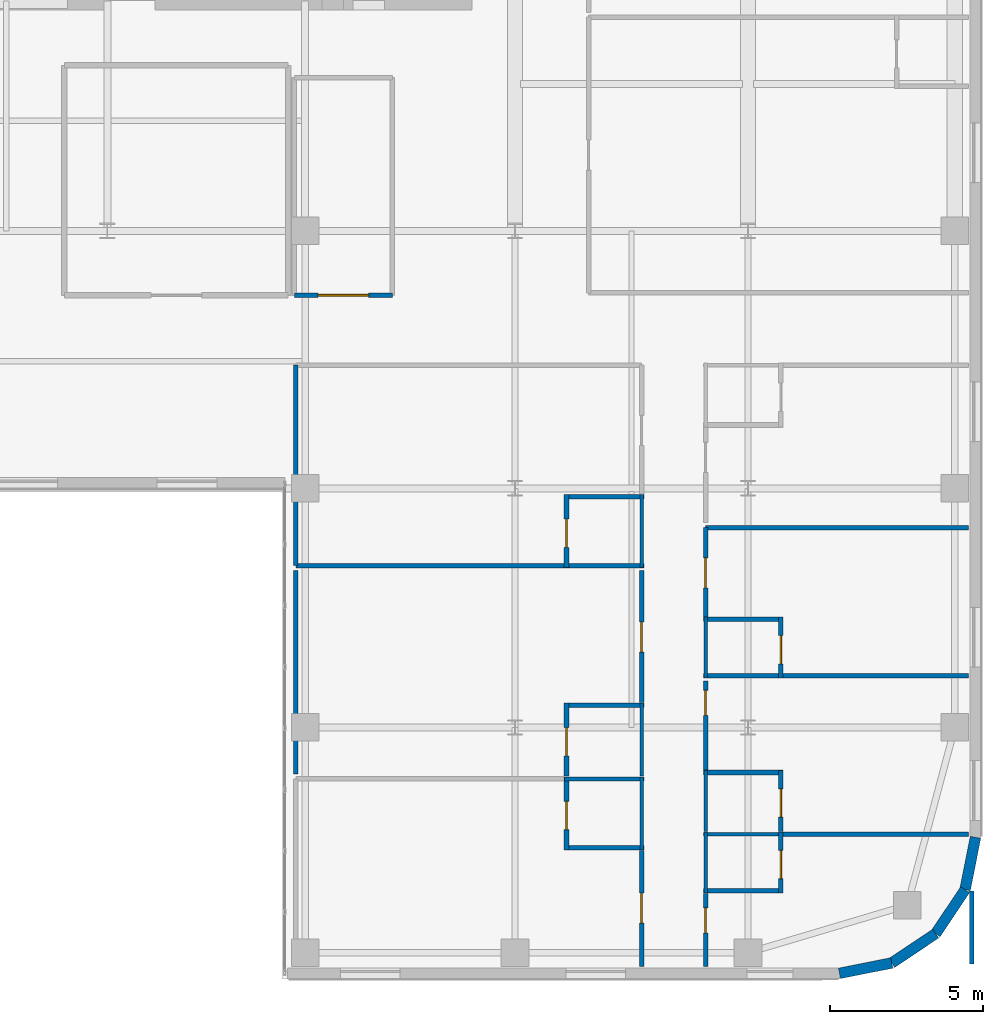
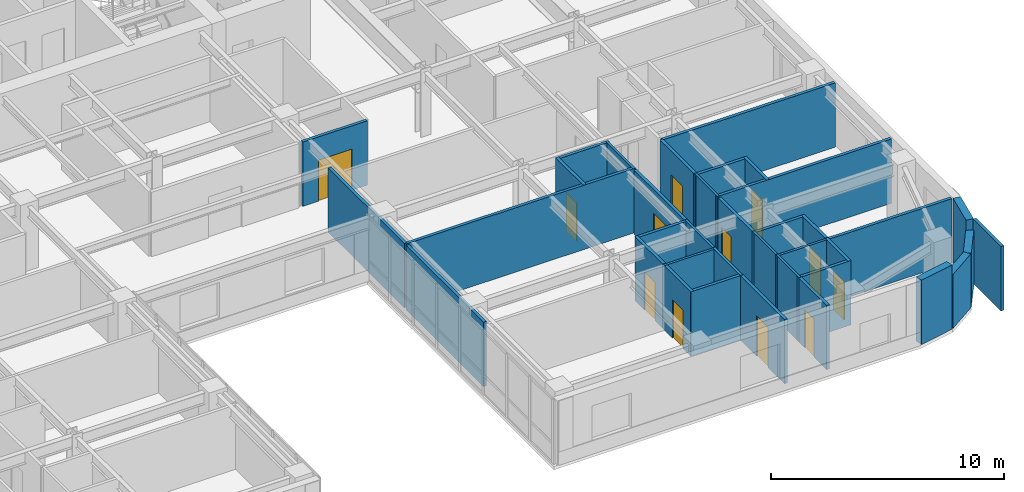
# One storey, part 16 of 25: 37 walls, 12 doors, 12 openings.
"""IFC4 building model written with IfcOpenShell, lengths in metres."""

from ifc_helpers import new_model, si_unit, direction, frame, frame_2d, origin, place, context, subcontext, project, spatial, rectangle, extrude, source, transform, mapped, material, layer, layer_set, type_object, type_shapes, element, fill, save


model = new_model("IFC4")

# Units and contexts
model_context = context("Model", 3, precision=1e-05, world=origin(), true_north=direction((0.0, 1.0)))
body_context = subcontext(model_context, "Body", "Model", "MODEL_VIEW")
ifc_project = project(units=[si_unit("LENGTHUNIT", "METRE"), si_unit("AREAUNIT", "SQUARE_METRE"), si_unit("VOLUMEUNIT", "CUBIC_METRE"), si_unit("PLANEANGLEUNIT", "RADIAN"), si_unit("MASSUNIT", "GRAM", prefix="KILO")], contexts=[model_context])

# Site, building, storey
site_placement = place(None, origin())
site = spatial("IfcSite", under=ifc_project, at=site_placement, CompositionType="ELEMENT")
building_placement = place(site_placement, origin())
building = spatial("IfcBuilding", under=site, at=building_placement, Name="Tolvann Quenvar Hotel", CompositionType="ELEMENT")
storey_placement = place(building_placement, frame((0.0, 0.0, 132.85009765625)))
storey = spatial("IfcBuildingStorey", under=building, at=storey_placement, Name="L34", CompositionType="ELEMENT", Elevation=132.85009765625)

# Walls
ifc_material_1 = material(Name="Kiln-fired red and buff architectural clay brickwork and terracotta masonry", Category="masonry")
ifc_layer_1 = layer(ifc_material_1, 0.35009765625)
ifc_layer_set_1 = layer_set([ifc_layer_1], Name="Kiln-fired red and buff architectural clay brickwork and terracotta masonry")
wall_type_1 = type_object("IfcWallType", Name="WALL_EXT_BRICK_350", PredefinedType="SOLIDWALL", material=ifc_layer_set_1)
wall_1_placement = place(storey_placement, frame((52.3828125, 0.175048828125, 0.0), z_axis=(0.0, 0.0, 1.0), x_axis=(0.980800971659, 0.195011420161, 0.0)))
element("IfcWall", 1, at=wall_1_placement, inside=storey, type_object=wall_type_1, Name="Exterior Chicago Brick Wall L34-E09", PredefinedType="SOLIDWALL", context=body_context, shape_type="SweptSolid", body=[
    extrude(rectangle(XDim=1.74267578125, YDim=0.35009765625, at=frame_2d((0.871337890625, 0.0))), origin(), (0.0, 0.0, 1.0), 3.369873046875),
])
for number, where, z_axis, x_axis, name in (
    (2, (54.092041015625, 0.514892578125, 0.0), (0.0, 0.0, 1.0), (0.831483840845, 0.55554893791, 0.0), "Exterior Chicago Brick Wall L34-E10"),
    (3, (55.526611328125, 1.473388671875, 0.0), (0.0, 0.0, 1.0), (0.55554893791, 0.831483840845, 0.0), "Exterior Chicago Brick Wall L34-E11"),
):
    element("IfcWall", number, at=place(storey_placement, frame(where, z_axis=z_axis, x_axis=x_axis)), inside=storey, type_object=wall_type_1, Name=name, PredefinedType="SOLIDWALL", context=body_context, shape_type="SweptSolid", body=[
        extrude(rectangle(XDim=1.725341796875, YDim=0.35009765625, at=frame_2d((0.86279296875, 0.0))), origin(), (0.0, 0.0, 1.0), 2.831787109375),
    ])
wall_2_placement = place(storey_placement, frame((56.485107421875, 2.907958984375, 0.0), z_axis=(0.0, 0.0, 1.0), x_axis=(0.195011420161, 0.980800971659, 0.0)))
element("IfcWall", 4, at=wall_2_placement, inside=storey, type_object=wall_type_1, Name="Exterior Chicago Brick Wall L34-E12", PredefinedType="SOLIDWALL", context=body_context, shape_type="SweptSolid", body=[
    extrude(rectangle(XDim=1.74267578125, YDim=0.35009765625, at=frame_2d((0.871337890625, 0.0))), origin(), (0.0, 0.0, 1.0), 3.369873046875),
])
ifc_material_2 = material(Name="Moisture-resistant acoustic plumbing wall assembly")
ifc_layer_2 = layer(ifc_material_2, 0.1201171875)
ifc_layer_set_2 = layer_set([ifc_layer_2], Name="Moisture-resistant acoustic plumbing wall assembly")
wall_type_2 = type_object("IfcWallType", Name="WALL_PART_BATH_120", PredefinedType="PLUMBINGWALL", material=ifc_layer_set_2)
wall_3_placement = place(storey_placement, frame((43.409912109375, 6.52001953125, 0.0), z_axis=(0.0, 0.0, 1.0), x_axis=(1.0, 0.0, 0.0)))
element("IfcWall", 5, at=wall_3_placement, inside=storey, type_object=wall_type_2, Name="Non-Rated Plumbing Partition PT-SPC-L34-ENS-EI01-N", PredefinedType="PLUMBINGWALL", context=body_context, shape_type="SweptSolid", body=[
    extrude(rectangle(XDim=2.590087890625, YDim=0.1201171875, at=frame_2d((1.294921875, 0.0))), origin(), (0.0, 0.0, 1.0), 3.369873046875),
])
wall_4_placement = place(storey_placement, frame((45.929931640625, 4.199951171875, 0.0), z_axis=(0.0, 0.0, 1.0), x_axis=(0.0, 1.0, 0.0)))
element("IfcWall", 6, at=wall_4_placement, inside=storey, type_object=wall_type_2, Name="Non-Rated Plumbing Partition PT-SPC-L34-ENS-EI01-E", PredefinedType="PLUMBINGWALL", context=body_context, shape_type="SweptSolid", body=[
    extrude(rectangle(XDim=2.39013671875, YDim=0.1201171875, at=frame_2d((1.195068359375, 0.0))), origin(), (0.0, 0.0, 1.0), 3.369873046875),
])
wall_5_placement = place(storey_placement, frame((45.929931640625, 6.610107421875, 0.0), z_axis=(0.0, 0.0, 1.0), x_axis=(0.0, 1.0, 0.0)))
element("IfcWall", 7, at=wall_5_placement, inside=storey, type_object=wall_type_2, Name="Non-Rated Plumbing Partition PT-SPC-L34-ENS-EI02-E", PredefinedType="PLUMBINGWALL", context=body_context, shape_type="SweptSolid", body=[
    extrude(rectangle(XDim=2.389892578125, YDim=0.1201171875, at=frame_2d((1.19482421875, 0.0))), origin(), (0.0, 0.0, 1.0), 3.369873046875),
])
wall_6_placement = place(storey_placement, frame((45.929931640625, 13.409912109375, 0.0), z_axis=(0.0, 0.0, 1.0), x_axis=(0.0, 1.0, 0.0)))
element("IfcWall", 8, at=wall_6_placement, inside=storey, type_object=wall_type_2, Name="Non-Rated Plumbing Partition PT-SPC-L34-ENS-EI03-E", PredefinedType="PLUMBINGWALL", context=body_context, shape_type="SweptSolid", body=[
    extrude(rectangle(XDim=2.39013671875, YDim=0.1201171875, at=frame_2d((1.195068359375, 0.0))), origin(), (0.0, 0.0, 1.0), 3.369873046875),
])
wall_7_placement = place(storey_placement, frame((47.949951171875, 4.719970703125, 0.0), z_axis=(0.0, 0.0, 1.0), x_axis=(1.0, 0.0, 0.0)))
element("IfcWall", 9, at=wall_7_placement, inside=storey, type_object=wall_type_2, Name="Non-Rated Plumbing Partition PT-SPC-L34-ENS-EO01-N", PredefinedType="PLUMBINGWALL", context=body_context, shape_type="SweptSolid", body=[
    extrude(rectangle(XDim=2.590087890625, YDim=0.1201171875, at=frame_2d((1.294921875, 0.0))), origin(), (0.0, 0.0, 1.0), 3.369873046875),
])
for number, where, z_axis, x_axis, name in (
    (10, (48.02001953125, 2.800048828125, 0.0), (0.0, 0.0, 1.0), (0.0, 1.0, 0.0), "Non-Rated Plumbing Partition PT-SPC-L34-ENS-EO01-W"),
    (11, (48.02001953125, 4.81005859375, 0.0), (0.0, 0.0, 1.0), (0.0, 1.0, 0.0), "Non-Rated Plumbing Partition PT-SPC-L34-ENS-EO02-W"),
    (12, (48.02001953125, 9.81005859375, 0.0), (0.0, 0.0, 1.0), (0.0, 1.0, 0.0), "Non-Rated Plumbing Partition PT-SPC-L34-ENS-EO03-W"),
):
    element("IfcWall", number, at=place(storey_placement, frame(where, z_axis=z_axis, x_axis=x_axis)), inside=storey, type_object=wall_type_2, Name=name, PredefinedType="PLUMBINGWALL", context=body_context, shape_type="SweptSolid", body=[
        extrude(rectangle(XDim=1.989990234375, YDim=0.1201171875, at=frame_2d((0.9951171875, 0.0))), origin(), (0.0, 0.0, 1.0), 3.369873046875),
    ])

# Wall, opening, door
ifc_material_3 = material(Name="Acoustic twin-stud fire-rated gypsum plasterboard partition")
ifc_layer_3 = layer(ifc_material_3, 0.14990234375)
ifc_layer_set_3 = layer_set([ifc_layer_3], Name="Acoustic twin-stud fire-rated gypsum plasterboard partition")
wall_type_3 = type_object("IfcWallType", Name="WALL_PART_SUITE_150", PredefinedType="PARTITIONING", material=ifc_layer_set_3)
wall_8_placement = place(storey_placement, frame((43.47998046875, 4.199951171875, 0.0), z_axis=(0.0, 0.0, 1.0), x_axis=(0.0, 1.0, 0.0)))
wall_8 = element("IfcWall", 13, at=wall_8_placement, inside=storey, type_object=wall_type_3, Name="Interior Partition PT-SPC-L34-ENS-EI01-ENT", PredefinedType="PARTITIONING", context=body_context, shape_type="SweptSolid", body=[
    extrude(rectangle(XDim=2.39013671875, YDim=0.14990234375, at=frame_2d((1.195068359375, 0.0))), origin(), (0.0, 0.0, 1.0), 3.369873046875),
])
opening_1_placement = place(wall_8_placement, frame((0.6650390625, 0.0, 0.0)))
opening_1 = element("IfcOpeningElement", 14, at=opening_1_placement, cuts=wall_8, Name="Opening WD-01", PredefinedType="OPENING", context=body_context, shape_type="SweptSolid", body=[
    extrude(rectangle(XDim=0.919921875, YDim=2.010009765625, at=frame_2d((0.4599609375, 1.0048828125))), frame((0.0, 0.0849609375, 0.0), z_axis=(0.0, -1.0, 0.0), x_axis=(1.0, 0.0, 0.0)), (0.0, 0.0, 1.0), 0.169921875),
])
ifc_material_4 = material(Name="Solid-core American oak acoustic fire door leaf in steel frame", Category="steel")
door_type_1 = type_object("IfcDoorType", Name="DOOR_WC_920", OperationType="NOTDEFINED", PredefinedType="DOOR", material=ifc_material_4)
shared_shape_1 = source(origin(), body_context, "Body", "SweptSolid", [
    extrude(rectangle(XDim=0.919921875, YDim=2.010009765625, at=frame_2d((0.4599609375, 1.0048828125))), frame((0.0, 0.02490234375, 0.0), z_axis=(0.0, -1.0, 0.0), x_axis=(1.0, 0.0, 0.0)), (0.0, 0.0, 1.0), 0.050048828125),
])
type_shapes(door_type_1, [shared_shape_1])
door_1_placement = place(opening_1_placement, origin())
door_1 = element("IfcDoor", 15, at=door_1_placement, inside=storey, type_object=door_type_1, Name="Interior Door DOOR-SPC-L34-ENS-EI01", OperationType="SINGLE_SWING_RIGHT", OverallHeight=2.010009765625, OverallWidth=0.919921875, PredefinedType="DOOR", context=body_context, shape_type="MappedRepresentation", body=[
    mapped(shared_shape_1, transform((0.0, 0.0, 0.0), x_axis=(1.0, 0.0, 0.0), y_axis=(0.0, 1.0, 0.0), z_axis=(0.0, 0.0, 1.0), scale=1.0)),
])
fill(opening_1, door_1)

# Wall
wall_9_placement = place(storey_placement, frame((43.409912109375, 4.27001953125, 0.0), z_axis=(0.0, 0.0, 1.0), x_axis=(1.0, 0.0, 0.0)))
element("IfcWall", 16, at=wall_9_placement, inside=storey, type_object=wall_type_3, Name="Interior Partition PT-SPC-L34-ENS-EI01-S", PredefinedType="PARTITIONING", context=body_context, shape_type="SweptSolid", body=[
    extrude(rectangle(XDim=2.590087890625, YDim=0.14990234375, at=frame_2d((1.294921875, 0.0))), origin(), (0.0, 0.0, 1.0), 3.369873046875),
])

# Wall, opening, door
wall_10_placement = place(storey_placement, frame((43.47998046875, 6.610107421875, 0.0), z_axis=(0.0, 0.0, 1.0), x_axis=(0.0, 1.0, 0.0)))
wall_10 = element("IfcWall", 17, at=wall_10_placement, inside=storey, type_object=wall_type_3, Name="Interior Partition PT-SPC-L34-ENS-EI02-ENT", PredefinedType="PARTITIONING", context=body_context, shape_type="SweptSolid", body=[
    extrude(rectangle(XDim=2.389892578125, YDim=0.14990234375, at=frame_2d((1.19482421875, 0.0))), origin(), (0.0, 0.0, 1.0), 3.369873046875),
])
opening_2_placement = place(wall_10_placement, frame((0.6650390625, 0.0, 0.0)))
opening_2 = element("IfcOpeningElement", 18, at=opening_2_placement, cuts=wall_10, Name="Opening WD-01", PredefinedType="OPENING", context=body_context, shape_type="SweptSolid", body=[
    extrude(rectangle(XDim=0.919921875, YDim=2.010009765625, at=frame_2d((0.4599609375, 1.0048828125))), frame((0.0, 0.0849609375, 0.0), z_axis=(0.0, -1.0, 0.0), x_axis=(1.0, 0.0, 0.0)), (0.0, 0.0, 1.0), 0.169921875),
])
door_2_placement = place(opening_2_placement, origin())
door_2 = element("IfcDoor", 19, at=door_2_placement, inside=storey, type_object=door_type_1, Name="Interior Door DOOR-SPC-L34-ENS-EI02", OperationType="SINGLE_SWING_LEFT", OverallHeight=2.010009765625, OverallWidth=0.919921875, PredefinedType="DOOR", context=body_context, shape_type="MappedRepresentation", body=[
    mapped(shared_shape_1, transform((0.0, 0.0, 0.0), x_axis=(1.0, 0.0, 0.0), y_axis=(0.0, 1.0, 0.0), z_axis=(0.0, 0.0, 1.0), scale=1.0)),
])
fill(opening_2, door_2)

# Wall
wall_11_placement = place(storey_placement, frame((43.409912109375, 8.929931640625, 0.0), z_axis=(0.0, 0.0, 1.0), x_axis=(1.0, 0.0, 0.0)))
element("IfcWall", 20, at=wall_11_placement, inside=storey, type_object=wall_type_3, Name="Interior Partition PT-SPC-L34-ENS-EI02-N", PredefinedType="PARTITIONING", context=body_context, shape_type="SweptSolid", body=[
    extrude(rectangle(XDim=2.590087890625, YDim=0.14990234375, at=frame_2d((1.294921875, 0.0))), origin(), (0.0, 0.0, 1.0), 3.369873046875),
])

# Wall, opening, door
wall_12_placement = place(storey_placement, frame((43.47998046875, 13.409912109375, 0.0), z_axis=(0.0, 0.0, 1.0), x_axis=(0.0, 1.0, 0.0)))
wall_12 = element("IfcWall", 21, at=wall_12_placement, inside=storey, type_object=wall_type_3, Name="Interior Partition PT-SPC-L34-ENS-EI03-ENT", PredefinedType="PARTITIONING", context=body_context, shape_type="SweptSolid", body=[
    extrude(rectangle(XDim=2.39013671875, YDim=0.14990234375, at=frame_2d((1.195068359375, 0.0))), origin(), (0.0, 0.0, 1.0), 3.369873046875),
])
opening_3_placement = place(wall_12_placement, frame((0.6650390625, 0.0, 0.0)))
opening_3 = element("IfcOpeningElement", 22, at=opening_3_placement, cuts=wall_12, Name="Opening WD-01", PredefinedType="OPENING", context=body_context, shape_type="SweptSolid", body=[
    extrude(rectangle(XDim=0.919921875, YDim=2.010009765625, at=frame_2d((0.4599609375, 1.0048828125))), frame((0.0, 0.0849609375, 0.0), z_axis=(0.0, -1.0, 0.0), x_axis=(1.0, 0.0, 0.0)), (0.0, 0.0, 1.0), 0.169921875),
])
door_3_placement = place(opening_3_placement, origin())
door_3 = element("IfcDoor", 23, at=door_3_placement, inside=storey, type_object=door_type_1, Name="Interior Door DOOR-SPC-L34-ENS-EI03", OperationType="SINGLE_SWING_RIGHT", OverallHeight=2.010009765625, OverallWidth=0.919921875, PredefinedType="DOOR", context=body_context, shape_type="MappedRepresentation", body=[
    mapped(shared_shape_1, transform((0.0, 0.0, 0.0), x_axis=(1.0, 0.0, 0.0), y_axis=(0.0, 1.0, 0.0), z_axis=(0.0, 0.0, 1.0), scale=1.0)),
])
fill(opening_3, door_3)

# Walls
wall_13_placement = place(storey_placement, frame((34.64990234375, 13.47998046875, 0.0), z_axis=(0.0, 0.0, 1.0), x_axis=(1.0, 0.0, 0.0)))
element("IfcWall", 24, at=wall_13_placement, inside=storey, type_object=wall_type_3, Name="Interior Partition PT-SPC-L34-ENS-EI03-S", PredefinedType="PARTITIONING", context=body_context, shape_type="SweptSolid", body=[
    extrude(rectangle(XDim=11.35009765625, YDim=0.14990234375, at=frame_2d((5.675048828125, 0.0))), origin(), (0.0, 0.0, 1.0), 3.369873046875),
])
wall_14_placement = place(storey_placement, frame((43.409912109375, 15.72998046875, 0.0), z_axis=(0.0, 0.0, 1.0), x_axis=(1.0, 0.0, 0.0)))
element("IfcWall", 25, at=wall_14_placement, inside=storey, type_object=wall_type_3, Name="Interior Partition PT-SPC-L34-ENS-EI03-N", PredefinedType="PARTITIONING", context=body_context, shape_type="SweptSolid", body=[
    extrude(rectangle(XDim=2.590087890625, YDim=0.14990234375, at=frame_2d((1.294921875, 0.0))), origin(), (0.0, 0.0, 1.0), 3.369873046875),
])

# Wall, opening, door
wall_15_placement = place(storey_placement, frame((50.469970703125, 2.800048828125, 0.0), z_axis=(0.0, 0.0, 1.0), x_axis=(0.0, 1.0, 0.0)))
wall_15 = element("IfcWall", 26, at=wall_15_placement, inside=storey, type_object=wall_type_3, Name="Interior Partition PT-SPC-L34-ENS-EO01-ENT", PredefinedType="PARTITIONING", context=body_context, shape_type="SweptSolid", body=[
    extrude(rectangle(XDim=1.989990234375, YDim=0.14990234375, at=frame_2d((0.9951171875, 0.0))), origin(), (0.0, 0.0, 1.0), 3.369873046875),
])
opening_4_placement = place(wall_15_placement, frame((0.465087890625, 0.0, 0.0)))
opening_4 = element("IfcOpeningElement", 27, at=opening_4_placement, cuts=wall_15, Name="Opening WD-01", PredefinedType="OPENING", context=body_context, shape_type="SweptSolid", body=[
    extrude(rectangle(XDim=0.919921875, YDim=2.010009765625, at=frame_2d((0.4599609375, 1.0048828125))), frame((0.0, 0.0849609375, 0.0), z_axis=(0.0, -1.0, 0.0), x_axis=(1.0, 0.0, 0.0)), (0.0, 0.0, 1.0), 0.169921875),
])
door_4_placement = place(opening_4_placement, origin())
door_4 = element("IfcDoor", 28, at=door_4_placement, inside=storey, type_object=door_type_1, Name="Interior Door DOOR-SPC-L34-ENS-EO01", OperationType="SINGLE_SWING_LEFT", OverallHeight=2.010009765625, OverallWidth=0.919921875, PredefinedType="DOOR", context=body_context, shape_type="MappedRepresentation", body=[
    mapped(shared_shape_1, transform((0.0, 0.0, 0.0), x_axis=(1.0, 0.0, 0.0), y_axis=(0.0, 1.0, 0.0), z_axis=(0.0, 0.0, 1.0), scale=1.0)),
])
fill(opening_4, door_4)

# Wall
wall_16_placement = place(storey_placement, frame((47.949951171875, 2.8701171875, 0.0), z_axis=(0.0, 0.0, 1.0), x_axis=(1.0, 0.0, 0.0)))
element("IfcWall", 29, at=wall_16_placement, inside=storey, type_object=wall_type_3, Name="Interior Partition PT-SPC-L34-ENS-EO01-S", PredefinedType="PARTITIONING", context=body_context, shape_type="SweptSolid", body=[
    extrude(rectangle(XDim=2.590087890625, YDim=0.14990234375, at=frame_2d((1.294921875, 0.0))), origin(), (0.0, 0.0, 1.0), 3.369873046875),
])

# Wall, opening, door
wall_17_placement = place(storey_placement, frame((50.469970703125, 4.81005859375, 0.0), z_axis=(0.0, 0.0, 1.0), x_axis=(0.0, 1.0, 0.0)))
wall_17 = element("IfcWall", 30, at=wall_17_placement, inside=storey, type_object=wall_type_3, Name="Interior Partition PT-SPC-L34-ENS-EO02-ENT", PredefinedType="PARTITIONING", context=body_context, shape_type="SweptSolid", body=[
    extrude(rectangle(XDim=1.989990234375, YDim=0.14990234375, at=frame_2d((0.9951171875, 0.0))), origin(), (0.0, 0.0, 1.0), 3.369873046875),
])
opening_5_placement = place(wall_17_placement, frame((0.465087890625, 0.0, 0.0)))
opening_5 = element("IfcOpeningElement", 31, at=opening_5_placement, cuts=wall_17, Name="Opening WD-01", PredefinedType="OPENING", context=body_context, shape_type="SweptSolid", body=[
    extrude(rectangle(XDim=0.919921875, YDim=2.010009765625, at=frame_2d((0.4599609375, 1.0048828125))), frame((0.0, 0.0849609375, 0.0), z_axis=(0.0, -1.0, 0.0), x_axis=(1.0, 0.0, 0.0)), (0.0, 0.0, 1.0), 0.169921875),
])
door_5_placement = place(opening_5_placement, origin())
door_5 = element("IfcDoor", 32, at=door_5_placement, inside=storey, type_object=door_type_1, Name="Interior Door DOOR-SPC-L34-ENS-EO02", OperationType="SINGLE_SWING_RIGHT", OverallHeight=2.010009765625, OverallWidth=0.919921875, PredefinedType="DOOR", context=body_context, shape_type="MappedRepresentation", body=[
    mapped(shared_shape_1, transform((0.0, 0.0, 0.0), x_axis=(1.0, 0.0, 0.0), y_axis=(0.0, 1.0, 0.0), z_axis=(0.0, 0.0, 1.0), scale=1.0)),
])
fill(opening_5, door_5)

# Wall
wall_18_placement = place(storey_placement, frame((47.949951171875, 6.72998046875, 0.0), z_axis=(0.0, 0.0, 1.0), x_axis=(1.0, 0.0, 0.0)))
element("IfcWall", 33, at=wall_18_placement, inside=storey, type_object=wall_type_3, Name="Interior Partition PT-SPC-L34-ENS-EO02-N", PredefinedType="PARTITIONING", context=body_context, shape_type="SweptSolid", body=[
    extrude(rectangle(XDim=2.590087890625, YDim=0.14990234375, at=frame_2d((1.294921875, 0.0))), origin(), (0.0, 0.0, 1.0), 3.369873046875),
])

# Wall, opening, door
wall_19_placement = place(storey_placement, frame((50.469970703125, 9.81005859375, 0.0), z_axis=(0.0, 0.0, 1.0), x_axis=(0.0, 1.0, 0.0)))
wall_19 = element("IfcWall", 34, at=wall_19_placement, inside=storey, type_object=wall_type_3, Name="Interior Partition PT-SPC-L34-ENS-EO03-ENT", PredefinedType="PARTITIONING", context=body_context, shape_type="SweptSolid", body=[
    extrude(rectangle(XDim=1.989990234375, YDim=0.14990234375, at=frame_2d((0.9951171875, 0.0))), origin(), (0.0, 0.0, 1.0), 3.369873046875),
])
opening_6_placement = place(wall_19_placement, frame((0.465087890625, 0.0, 0.0)))
opening_6 = element("IfcOpeningElement", 35, at=opening_6_placement, cuts=wall_19, Name="Opening WD-01", PredefinedType="OPENING", context=body_context, shape_type="SweptSolid", body=[
    extrude(rectangle(XDim=0.919921875, YDim=2.010009765625, at=frame_2d((0.4599609375, 1.0048828125))), frame((0.0, 0.0849609375, 0.0), z_axis=(0.0, -1.0, 0.0), x_axis=(1.0, 0.0, 0.0)), (0.0, 0.0, 1.0), 0.169921875),
])
door_6_placement = place(opening_6_placement, origin())
door_6 = element("IfcDoor", 36, at=door_6_placement, inside=storey, type_object=door_type_1, Name="Interior Door DOOR-SPC-L34-ENS-EO03", OperationType="SINGLE_SWING_LEFT", OverallHeight=2.010009765625, OverallWidth=0.919921875, PredefinedType="DOOR", context=body_context, shape_type="MappedRepresentation", body=[
    mapped(shared_shape_1, transform((0.0, 0.0, 0.0), x_axis=(1.0, 0.0, 0.0), y_axis=(0.0, 1.0, 0.0), z_axis=(0.0, 0.0, 1.0), scale=1.0)),
])
fill(opening_6, door_6)

# Walls
wall_20_placement = place(storey_placement, frame((47.949951171875, 9.8798828125, 0.0), z_axis=(0.0, 0.0, 1.0), x_axis=(1.0, 0.0, 0.0)))
element("IfcWall", 37, at=wall_20_placement, inside=storey, type_object=wall_type_3, Name="Interior Partition PT-SPC-L34-ENS-EO03-S", PredefinedType="PARTITIONING", context=body_context, shape_type="SweptSolid", body=[
    extrude(rectangle(XDim=8.64501953125, YDim=0.14990234375, at=frame_2d((4.322509765625, 0.0))), origin(), (0.0, 0.0, 1.0), 3.369873046875),
])
wall_21_placement = place(storey_placement, frame((47.949951171875, 11.72998046875, 0.0), z_axis=(0.0, 0.0, 1.0), x_axis=(1.0, 0.0, 0.0)))
element("IfcWall", 38, at=wall_21_placement, inside=storey, type_object=wall_type_3, Name="Interior Partition PT-SPC-L34-ENS-EO03-N", PredefinedType="PARTITIONING", context=body_context, shape_type="SweptSolid", body=[
    extrude(rectangle(XDim=2.590087890625, YDim=0.14990234375, at=frame_2d((1.294921875, 0.0))), origin(), (0.0, 0.0, 1.0), 3.369873046875),
])

# Wall, opening, door
wall_22_placement = place(storey_placement, frame((45.929931640625, 0.405029296875, 0.0), z_axis=(0.0, 0.0, 1.0), x_axis=(0.0, 1.0, 0.0)))
wall_22 = element("IfcWall", 39, at=wall_22_placement, inside=storey, type_object=wall_type_3, Name="Interior Partition PT-SPC-L34-RM-EI01-ENT", PredefinedType="PARTITIONING", context=body_context, shape_type="SweptSolid", body=[
    extrude(rectangle(XDim=3.784912109375, YDim=0.14990234375, at=frame_2d((1.892578125, 0.0))), origin(), (0.0, 0.0, 1.0), 3.369873046875),
])
opening_7_placement = place(wall_22_placement, frame((1.409912109375, 0.0, 0.0)))
opening_7 = element("IfcOpeningElement", 40, at=opening_7_placement, cuts=wall_22, Name="Opening SD-01", PredefinedType="OPENING", context=body_context, shape_type="SweptSolid", body=[
    extrude(rectangle(XDim=0.97998046875, YDim=2.1201171875, at=frame_2d((0.489990234375, 1.06005859375))), frame((0.0, 0.0849609375, 0.0), z_axis=(0.0, -1.0, 0.0), x_axis=(1.0, 0.0, 0.0)), (0.0, 0.0, 1.0), 0.169921875),
])
door_type_2 = type_object("IfcDoorType", Name="DOOR_SUITE_980", OperationType="NOTDEFINED", PredefinedType="DOOR", material=ifc_material_4)
shared_shape_2 = source(origin(), body_context, "Body", "SweptSolid", [
    extrude(rectangle(XDim=0.97998046875, YDim=2.1201171875, at=frame_2d((0.489990234375, 1.06005859375))), frame((0.0, 0.02490234375, 0.0), z_axis=(0.0, -1.0, 0.0), x_axis=(1.0, 0.0, 0.0)), (0.0, 0.0, 1.0), 0.050048828125),
])
type_shapes(door_type_2, [shared_shape_2])
door_7_placement = place(opening_7_placement, origin())
door_7 = element("IfcDoor", 41, at=door_7_placement, inside=storey, type_object=door_type_2, Name="Interior Door DOOR-SPC-L34-RM-EI01", OperationType="SINGLE_SWING_RIGHT", OverallHeight=2.1201171875, OverallWidth=0.97998046875, PredefinedType="DOOR", context=body_context, shape_type="MappedRepresentation", body=[
    mapped(shared_shape_2, transform((0.0, 0.0, 0.0), x_axis=(1.0, 0.0, 0.0), y_axis=(0.0, 1.0, 0.0), z_axis=(0.0, 0.0, 1.0), scale=1.0)),
])
fill(opening_7, door_7)

wall_23_placement = place(storey_placement, frame((45.929931640625, 9.010009765625, 0.0), z_axis=(0.0, 0.0, 1.0), x_axis=(0.0, 1.0, 0.0)))
wall_23 = element("IfcWall", 42, at=wall_23_placement, inside=storey, type_object=wall_type_3, Name="Interior Partition PT-SPC-L34-RM-EI02-ENT", PredefinedType="PARTITIONING", context=body_context, shape_type="SweptSolid", body=[
    extrude(rectangle(XDim=4.31005859375, YDim=0.14990234375, at=frame_2d((2.155029296875, 0.0))), origin(), (0.0, 0.0, 1.0), 3.369873046875),
])
opening_8_placement = place(wall_23_placement, frame((1.64501953125, 0.0, 0.0)))
opening_8 = element("IfcOpeningElement", 43, at=opening_8_placement, cuts=wall_23, Name="Opening SD-01", PredefinedType="OPENING", context=body_context, shape_type="SweptSolid", body=[
    extrude(rectangle(XDim=0.97998046875, YDim=2.1201171875, at=frame_2d((0.489990234375, 1.06005859375))), frame((0.0, 0.0849609375, 0.0), z_axis=(0.0, -1.0, 0.0), x_axis=(1.0, 0.0, 0.0)), (0.0, 0.0, 1.0), 0.169921875),
])
door_8_placement = place(opening_8_placement, origin())
door_8 = element("IfcDoor", 44, at=door_8_placement, inside=storey, type_object=door_type_2, Name="Interior Door DOOR-SPC-L34-RM-EI02", OperationType="SINGLE_SWING_LEFT", OverallHeight=2.1201171875, OverallWidth=0.97998046875, PredefinedType="DOOR", context=body_context, shape_type="MappedRepresentation", body=[
    mapped(shared_shape_2, transform((0.0, 0.0, 0.0), x_axis=(1.0, 0.0, 0.0), y_axis=(0.0, 1.0, 0.0), z_axis=(0.0, 0.0, 1.0), scale=1.0)),
])
fill(opening_8, door_8)

# Walls
wall_24_placement = place(storey_placement, frame((34.64990234375, 6.679931640625, 0.0), z_axis=(0.0, 0.0, 1.0), x_axis=(0.0, 1.0, 0.0)))
element("IfcWall", 45, at=wall_24_placement, inside=storey, type_object=wall_type_3, Name="Interior Partition PT-SPC-L34-RM-EI02-E6", PredefinedType="PARTITIONING", context=body_context, shape_type="SweptSolid", body=[
    extrude(rectangle(XDim=6.64013671875, YDim=0.14990234375, at=frame_2d((3.320068359375, 0.0))), origin(), (0.0, 0.0, 1.0), 3.369873046875),
])
wall_25_placement = place(storey_placement, frame((34.64990234375, 13.47998046875, 0.0), z_axis=(0.0, 0.0, 1.0), x_axis=(0.0, 1.0, 0.0)))
element("IfcWall", 46, at=wall_25_placement, inside=storey, type_object=wall_type_3, Name="Interior Partition PT-SPC-L34-RM-EI03-E6", PredefinedType="PARTITIONING", context=body_context, shape_type="SweptSolid", body=[
    extrude(rectangle(XDim=6.5400390625, YDim=0.14990234375, at=frame_2d((3.27001953125, 0.0))), origin(), (0.0, 0.0, 1.0), 3.369873046875),
])

# Wall, opening, door
wall_26_placement = place(storey_placement, frame((48.02001953125, 0.405029296875, 0.0), z_axis=(0.0, 0.0, 1.0), x_axis=(0.0, 1.0, 0.0)))
wall_26 = element("IfcWall", 47, at=wall_26_placement, inside=storey, type_object=wall_type_3, Name="Interior Partition PT-SPC-L34-RM-EO01-ENT", PredefinedType="PARTITIONING", context=body_context, shape_type="SweptSolid", body=[
    extrude(rectangle(XDim=2.385009765625, YDim=0.14990234375, at=frame_2d((1.1923828125, 0.0))), origin(), (0.0, 0.0, 1.0), 3.369873046875),
])
opening_9_placement = place(wall_26_placement, frame((1.090087890625, 0.0, 0.0)))
opening_9 = element("IfcOpeningElement", 48, at=opening_9_placement, cuts=wall_26, Name="Opening HD-02", PredefinedType="OPENING", context=body_context, shape_type="SweptSolid", body=[
    extrude(rectangle(XDim=0.820068359375, YDim=2.010009765625, at=frame_2d((0.41015625, 1.0048828125))), frame((0.0, 0.0849609375, 0.0), z_axis=(0.0, -1.0, 0.0), x_axis=(1.0, 0.0, 0.0)), (0.0, 0.0, 1.0), 0.169921875),
])
ifc_material_5 = material(Name="Pressed galvanised steel fire-rated door set", Category="steel")
door_type_3 = type_object("IfcDoorType", Name="DOOR_STORE_820", OperationType="NOTDEFINED", PredefinedType="DOOR", material=ifc_material_5)
shared_shape_3 = source(origin(), body_context, "Body", "SweptSolid", [
    extrude(rectangle(XDim=0.820068359375, YDim=2.010009765625, at=frame_2d((0.41015625, 1.0048828125))), frame((0.0, 0.02490234375, 0.0), z_axis=(0.0, -1.0, 0.0), x_axis=(1.0, 0.0, 0.0)), (0.0, 0.0, 1.0), 0.050048828125),
])
type_shapes(door_type_3, [shared_shape_3])
door_9_placement = place(opening_9_placement, origin())
door_9 = element("IfcDoor", 49, at=door_9_placement, inside=storey, type_object=door_type_3, Name="Interior Door DOOR-SPC-L34-RM-EO01", OperationType="SINGLE_SWING_LEFT", OverallHeight=2.010009765625, OverallWidth=0.820068359375, PredefinedType="DOOR", context=body_context, shape_type="MappedRepresentation", body=[
    mapped(shared_shape_3, transform((0.0, 0.0, 0.0), x_axis=(1.0, 0.0, 0.0), y_axis=(0.0, 1.0, 0.0), z_axis=(0.0, 0.0, 1.0), scale=1.0)),
])
fill(opening_9, door_9)

# Walls
wall_27_placement = place(storey_placement, frame((56.699951171875, 0.47998046875, 0.0), z_axis=(0.0, 0.0, 1.0), x_axis=(0.0, 1.0, 0.0)))
element("IfcWall", 50, at=wall_27_placement, inside=storey, type_object=wall_type_3, Name="Interior Partition PT-SPC-L34-RM-EO01-E2", PredefinedType="PARTITIONING", context=body_context, shape_type="SweptSolid", body=[
    extrude(rectangle(XDim=2.385009765625, YDim=0.14990234375, at=frame_2d((1.1923828125, 0.0))), origin(), (0.0, 0.0, 1.0), 3.369873046875),
])
wall_28_placement = place(storey_placement, frame((50.489990234375, 4.719970703125, 0.0), z_axis=(0.0, 0.0, 1.0), x_axis=(1.0, 0.0, 0.0)))
element("IfcWall", 51, at=wall_28_placement, inside=storey, type_object=wall_type_3, Name="Interior Partition PT-SPC-L34-RM-EO01-E3", PredefinedType="PARTITIONING", context=body_context, shape_type="SweptSolid", body=[
    extrude(rectangle(XDim=6.10498046875, YDim=0.14990234375, at=frame_2d((3.052490234375, 0.0))), origin(), (0.0, 0.0, 1.0), 3.369873046875),
])

# Wall, opening, door
wall_29_placement = place(storey_placement, frame((48.02001953125, 6.81005859375, 0.0), z_axis=(0.0, 0.0, 1.0), x_axis=(0.0, 1.0, 0.0)))
wall_29 = element("IfcWall", 52, at=wall_29_placement, inside=storey, type_object=wall_type_3, Name="Interior Partition PT-SPC-L34-RM-EO02-ENT", PredefinedType="PARTITIONING", context=body_context, shape_type="SweptSolid", body=[
    extrude(rectangle(XDim=2.909912109375, YDim=0.14990234375, at=frame_2d((1.455078125, 0.0))), origin(), (0.0, 0.0, 1.0), 3.369873046875),
])
opening_10_placement = place(wall_29_placement, frame((1.780029296875, 0.0, 0.0)))
opening_10 = element("IfcOpeningElement", 53, at=opening_10_placement, cuts=wall_29, Name="Opening HD-02", PredefinedType="OPENING", context=body_context, shape_type="SweptSolid", body=[
    extrude(rectangle(XDim=0.820068359375, YDim=2.010009765625, at=frame_2d((0.41015625, 1.0048828125))), frame((0.0, 0.0849609375, 0.0), z_axis=(0.0, -1.0, 0.0), x_axis=(1.0, 0.0, 0.0)), (0.0, 0.0, 1.0), 0.169921875),
])
door_10_placement = place(opening_10_placement, origin())
door_10 = element("IfcDoor", 54, at=door_10_placement, inside=storey, type_object=door_type_3, Name="Interior Door DOOR-SPC-L34-RM-EO02", OperationType="SINGLE_SWING_RIGHT", OverallHeight=2.010009765625, OverallWidth=0.820068359375, PredefinedType="DOOR", context=body_context, shape_type="MappedRepresentation", body=[
    mapped(shared_shape_3, transform((0.0, 0.0, 0.0), x_axis=(1.0, 0.0, 0.0), y_axis=(0.0, 1.0, 0.0), z_axis=(0.0, 0.0, 1.0), scale=1.0)),
])
fill(opening_10, door_10)

wall_30_placement = place(storey_placement, frame((48.02001953125, 11.81005859375, 0.0), z_axis=(0.0, 0.0, 1.0), x_axis=(0.0, 1.0, 0.0)))
wall_30 = element("IfcWall", 55, at=wall_30_placement, inside=storey, type_object=wall_type_3, Name="Interior Partition PT-SPC-L34-RM-EO03-ENT", PredefinedType="PARTITIONING", context=body_context, shape_type="SweptSolid", body=[
    extrude(rectangle(XDim=2.909912109375, YDim=0.14990234375, at=frame_2d((1.455078125, 0.0))), origin(), (0.0, 0.0, 1.0), 3.369873046875),
])
opening_11_placement = place(wall_30_placement, frame((0.945068359375, 0.0, 0.0)))
opening_11 = element("IfcOpeningElement", 56, at=opening_11_placement, cuts=wall_30, Name="Opening SD-01", PredefinedType="OPENING", context=body_context, shape_type="SweptSolid", body=[
    extrude(rectangle(XDim=0.97998046875, YDim=2.1201171875, at=frame_2d((0.489990234375, 1.06005859375))), frame((0.0, 0.0849609375, 0.0), z_axis=(0.0, -1.0, 0.0), x_axis=(1.0, 0.0, 0.0)), (0.0, 0.0, 1.0), 0.169921875),
])
door_11_placement = place(opening_11_placement, origin())
door_11 = element("IfcDoor", 57, at=door_11_placement, inside=storey, type_object=door_type_2, Name="Interior Door DOOR-SPC-L34-RM-EO03", OperationType="SINGLE_SWING_LEFT", OverallHeight=2.1201171875, OverallWidth=0.97998046875, PredefinedType="DOOR", context=body_context, shape_type="MappedRepresentation", body=[
    mapped(shared_shape_2, transform((0.0, 0.0, 0.0), x_axis=(1.0, 0.0, 0.0), y_axis=(0.0, 1.0, 0.0), z_axis=(0.0, 0.0, 1.0), scale=1.0)),
])
fill(opening_11, door_11)

# Wall
wall_31_placement = place(storey_placement, frame((48.02001953125, 14.719970703125, 0.0), z_axis=(0.0, 0.0, 1.0), x_axis=(1.0, 0.0, 0.0)))
element("IfcWall", 58, at=wall_31_placement, inside=storey, type_object=wall_type_3, Name="Interior Partition PT-SPC-L34-RM-EO03-E5", PredefinedType="PARTITIONING", context=body_context, shape_type="SweptSolid", body=[
    extrude(rectangle(XDim=8.574951171875, YDim=0.14990234375, at=frame_2d((4.28759765625, 0.0))), origin(), (0.0, 0.0, 1.0), 3.369873046875),
])

# Wall, opening, door
wall_32_placement = place(storey_placement, frame((34.60009765625, 22.300048828125, 0.0), z_axis=(0.0, 0.0, 1.0), x_axis=(1.0, 0.0, 0.0)))
wall_32 = element("IfcWall", 59, at=wall_32_placement, inside=storey, type_object=wall_type_3, Name="Interior Partition PT-SPC-L34-MSP-E-S", PredefinedType="PARTITIONING", context=body_context, shape_type="SweptSolid", body=[
    extrude(rectangle(XDim=3.199951171875, YDim=0.14990234375, at=frame_2d((1.60009765625, 0.0))), origin(), (0.0, 0.0, 1.0), 3.369873046875),
])
opening_12_placement = place(wall_32_placement, frame((0.77490234375, 0.0, 0.0)))
opening_12 = element("IfcOpeningElement", 60, at=opening_12_placement, cuts=wall_32, Name="Opening AD-01", PredefinedType="OPENING", context=body_context, shape_type="SweptSolid", body=[
    extrude(rectangle(XDim=1.64990234375, YDim=2.14990234375, at=frame_2d((0.824951171875, 1.074951171875))), frame((0.0, 0.0849609375, 0.0), z_axis=(0.0, -1.0, 0.0), x_axis=(1.0, 0.0, 0.0)), (0.0, 0.0, 1.0), 0.169921875),
])
door_type_4 = type_object("IfcDoorType", Name="DOOR_SALON_1650", OperationType="NOTDEFINED", PredefinedType="DOOR", material=ifc_material_4)
shared_shape_4 = source(origin(), body_context, "Body", "SweptSolid", [
    extrude(rectangle(XDim=1.64990234375, YDim=2.14990234375, at=frame_2d((0.824951171875, 1.074951171875))), frame((0.0, 0.02490234375, 0.0), z_axis=(0.0, -1.0, 0.0), x_axis=(1.0, 0.0, 0.0)), (0.0, 0.0, 1.0), 0.050048828125),
])
type_shapes(door_type_4, [shared_shape_4])
door_12_placement = place(opening_12_placement, origin())
door_12 = element("IfcDoor", 61, at=door_12_placement, inside=storey, type_object=door_type_4, Name="Interior Door DOOR-SPC-L34-MSP-E", OperationType="DOUBLE_DOOR_SINGLE_SWING", OverallHeight=2.14990234375, OverallWidth=1.64990234375, PredefinedType="DOOR", context=body_context, shape_type="MappedRepresentation", body=[
    mapped(shared_shape_4, transform((0.0, 0.0, 0.0), x_axis=(1.0, 0.0, 0.0), y_axis=(0.0, 1.0, 0.0), z_axis=(0.0, 0.0, 1.0), scale=1.0)),
])
fill(opening_12, door_12)

save(model, "model.ifc")
